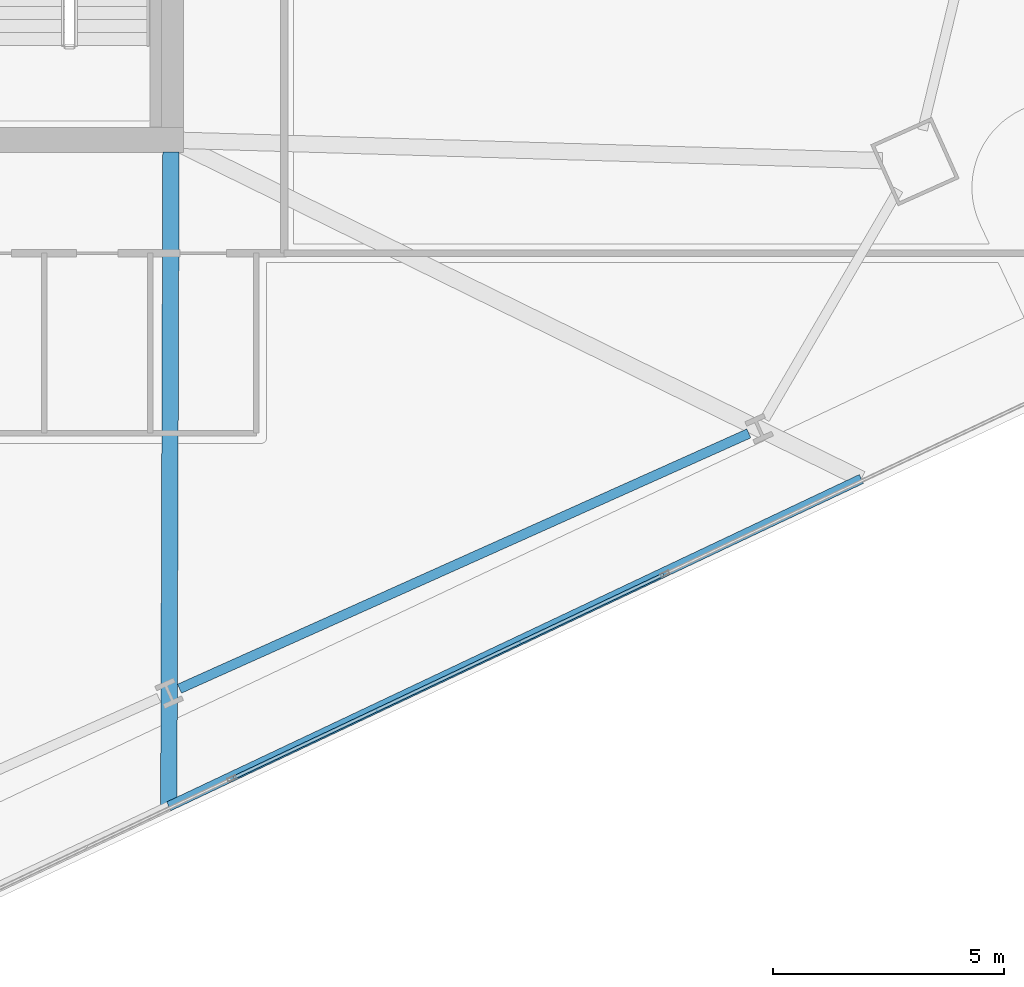
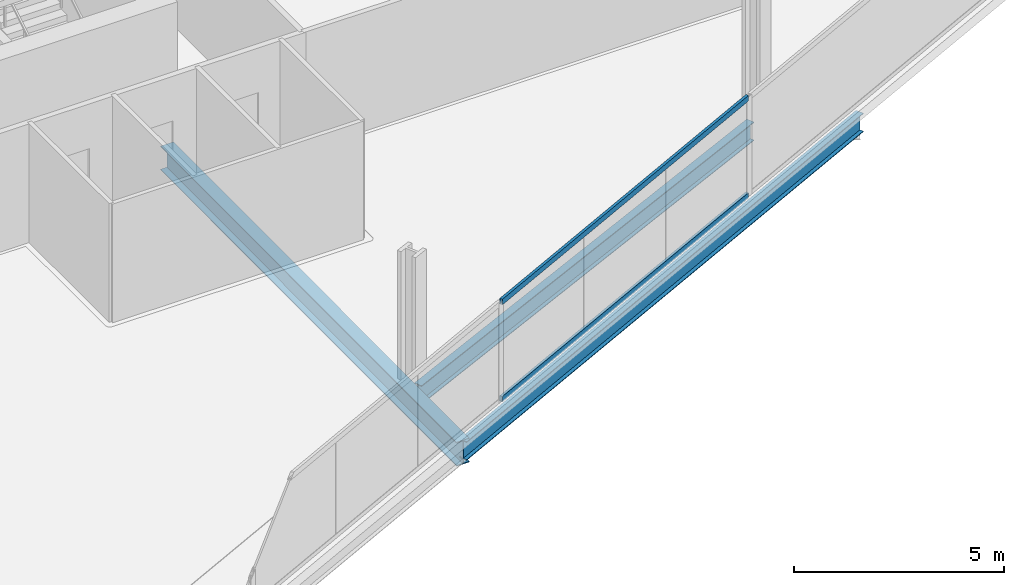
# One storey, part 8 of 34: 3 beams, 2 members, 1 element without a shape of its own.
"""IFC4 building model written with IfcOpenShell, lengths in metres."""

import ifcopenshell
import ifcopenshell.guid

model = None  # the IFC model being written
_history = None  # IfcOwnerHistory: only IFC2X3 demands one
_inside = {}  # id of a spatial element -> (the spatial element, [elements in it])
_under = {}  # id of a project, library or spatial element -> (it, [spatial elements below it])
_declared = {}  # id of a project -> (the project, [libraries it declares])
_typed = {}  # id of a type object -> (the type object, [elements of that type])
_made_of = {}  # id of a material, layer set ... -> (it, [elements and type objects made of it])


def new_model(schema):
    """Start an empty IFC model of exactly this schema.

    Asked for "IFC4X3", IfcOpenShell would pick the latest addendum, in which some entities
    have other attributes; the version numbers below select the first issue.
    IFC2X3 requires an IfcOwnerHistory on every rooted entity: one is made here for all.
    """
    global model, _history
    if schema == "IFC4X3":
        model = ifcopenshell.file(schema_version=(4, 3, 0, 0))
    else:
        model = ifcopenshell.file(schema=schema)
    _inside.clear()
    _under.clear()
    _declared.clear()
    _typed.clear()
    _made_of.clear()
    _history = None
    if model.schema == "IFC2X3":
        org = make("IfcOrganization", Name="unknown")
        user = make(
            "IfcPersonAndOrganization",
            ThePerson=make("IfcPerson", FamilyName="unknown"),
            TheOrganization=org,
        )
        app = make(
            "IfcApplication",
            ApplicationDeveloper=org,
            Version="unknown",
            ApplicationFullName="unknown",
            ApplicationIdentifier="unknown",
        )
        _history = make(
            "IfcOwnerHistory",
            OwningUser=user,
            OwningApplication=app,
            ChangeAction="ADDED",
            CreationDate=0,
        )
    return model


def make(cls, **values):
    """One entity of the class cls with the attributes given. An attribute that is None is left unset."""
    return model.create_entity(
        cls, **{name: value for name, value in values.items() if value is not None}
    )


def rooted(cls, **values):
    """An entity with a GlobalId (a new one), such as an element, a storey or a relation."""
    return make(cls, GlobalId=ifcopenshell.guid.new(), OwnerHistory=_history, **values)


def si_unit(unit_type, name, prefix=None):
    """IfcSIUnit, for example si_unit("LENGTHUNIT", "METRE", prefix="MILLI")."""
    return make("IfcSIUnit", UnitType=unit_type, Prefix=prefix, Name=name)


def assignment(units):
    """IfcUnitAssignment: the units of a project."""
    return None if units is None else make("IfcUnitAssignment", Units=units)


def point(xyz):
    """IfcCartesianPoint."""
    return None if xyz is None else make("IfcCartesianPoint", Coordinates=xyz)


def direction(xyz):
    """IfcDirection."""
    return None if xyz is None else make("IfcDirection", DirectionRatios=xyz)


def frame(location, z_axis=None, x_axis=None):
    """IfcAxis2Placement3D, a coordinate frame: its origin and axes. An axis left out is left unset."""
    return make(
        "IfcAxis2Placement3D",
        Location=point(location),
        Axis=direction(z_axis),
        RefDirection=direction(x_axis),
    )


def frame_2d(location, x_axis=None):
    """IfcAxis2Placement2D, a coordinate frame in the plane: its origin and x axis."""
    return make(
        "IfcAxis2Placement2D", Location=point(location), RefDirection=direction(x_axis)
    )


def origin():
    """The frame at (0, 0, 0) with its axes left unset."""
    return frame((0.0, 0.0, 0.0))


def origin_2d():
    """The frame at (0, 0) in the plane with its x axis left unset."""
    return frame_2d((0.0, 0.0))


def place(relative_to, where):
    """IfcLocalPlacement: puts the frame where relative to a parent placement (None: the world)."""
    return make(
        "IfcLocalPlacement", PlacementRelTo=relative_to, RelativePlacement=where
    )


def context(
    kind, dimensions, precision=None, world=None, true_north=None, identifier=None
):
    """IfcGeometricRepresentationContext, for example the 3D "Model" context."""
    return make(
        "IfcGeometricRepresentationContext",
        ContextIdentifier=identifier,
        ContextType=kind,
        CoordinateSpaceDimension=dimensions,
        Precision=precision,
        WorldCoordinateSystem=world,
        TrueNorth=true_north,
    )


def subcontext(parent, identifier, kind, view, scale=None):
    """IfcGeometricRepresentationSubContext, for example "Body" below "Model"."""
    return make(
        "IfcGeometricRepresentationSubContext",
        ContextIdentifier=identifier,
        ContextType=kind,
        ParentContext=parent,
        TargetScale=scale,
        TargetView=view,
    )


def project(units=None, contexts=None):
    """IfcProject with its units and contexts."""
    return rooted(
        "IfcProject",
        Name="project",
        RepresentationContexts=contexts,
        UnitsInContext=assignment(units),
    )


def spatial(cls, under=None, at=None, **own):
    """A site, building, storey or space (cls), placed at a placement, below another one or the project."""
    s = rooted(cls, ObjectPlacement=at, **own)
    if under is not None:
        _under.setdefault(under.id(), (under, []))[1].append(s)
    return s


def profile(cls, at=None, kind="AREA", **sizes):
    """A parametric profile (cls). Its sizes go by their IFC names, for example OverallWidth=200.0."""
    return make(cls, ProfileType=kind, Position=at, **sizes)


def hollow_rectangle(**sizes):
    """IfcRectangleHollowProfileDef."""
    return profile("IfcRectangleHollowProfileDef", **sizes)


def i_section(**sizes):
    """IfcIShapeProfileDef."""
    return profile("IfcIShapeProfileDef", **sizes)


def extrude(swept, where, along, depth):
    """IfcExtrudedAreaSolid: the profile swept, set in the frame where, extruded along a direction by depth."""
    return make(
        "IfcExtrudedAreaSolid",
        SweptArea=swept,
        Position=where,
        ExtrudedDirection=direction(along),
        Depth=depth,
    )


def shape(context_of_items, identifier, shape_type, items):
    """IfcShapeRepresentation: the items that make up one representation, for example the "Body"."""
    return make(
        "IfcShapeRepresentation",
        ContextOfItems=context_of_items,
        RepresentationIdentifier=identifier,
        RepresentationType=shape_type,
        Items=items,
    )


def material(Name=None, Category=None):
    """IfcMaterial."""
    return make("IfcMaterial", Name=Name, Category=Category)


def material_profile(
    of_material, cross_section, Name=None, Category=None, Priority=None
):
    """IfcMaterialProfile: a cross section and its material."""
    return make(
        "IfcMaterialProfile",
        Name=Name,
        Material=of_material,
        Profile=cross_section,
        Priority=Priority,
        Category=Category,
    )


def profile_set(profiles, Name=None, composite=None):
    """IfcMaterialProfileSet."""
    return make(
        "IfcMaterialProfileSet",
        Name=Name,
        MaterialProfiles=profiles,
        CompositeProfile=composite,
    )


def made_of(thing, what):
    """Note that an element or type object is made of a material, layer set ...; save() writes the relation."""
    if what is not None:
        _made_of.setdefault(what.id(), (what, []))[1].append(thing)
    return thing


def type_object(cls, material=None, **own):
    """A type object (cls), such as IfcWallType, which elements share."""
    return made_of(rooted(cls, **own), material)


def element(
    cls,
    number,
    at=None,
    inside=None,
    cuts=None,
    type_object=None,
    material=None,
    context=None,
    identifier="Body",
    shape_type=None,
    held_by="IfcProductDefinitionShape",
    body=None,
    shapes=None,
    **own,
):
    """One element of the class cls, such as IfcWall. Its Tag is "e" and its number.

    at: its placement. inside: the storey or other place that contains it. cuts: it is an
    opening in that element (IfcRelVoidsElement). A single representation is given by context,
    identifier, shape_type and body (its items); several are given by shapes. held_by: the class
    of the entity that holds the representations. save() writes the other relations.
    """
    e = rooted(cls, Tag="e%d" % number, ObjectPlacement=at, **own)
    if body is not None:
        shapes = [shape(context, identifier, shape_type, body)]
    if shapes is not None:
        e.Representation = make(held_by, Representations=shapes)
    if inside is not None:
        _inside.setdefault(inside.id(), (inside, []))[1].append(e)
    if cuts is not None:
        rooted(
            "IfcRelVoidsElement", RelatingBuildingElement=cuts, RelatedOpeningElement=e
        )
    if type_object is not None:
        _typed.setdefault(type_object.id(), (type_object, []))[1].append(e)
    return made_of(e, material)


def aggregate(whole, parts):
    """IfcRelAggregates: a whole, such as a stair, and the parts it consists of."""
    return rooted("IfcRelAggregates", RelatingObject=whole, RelatedObjects=parts)


def save(model, path):
    """Write the relations noted so far, then the file.

    IfcRelAggregates (storeys below a building ...), IfcRelContainedInSpatialStructure (elements
    in a storey), IfcRelDefinesByType, IfcRelAssociatesMaterial and IfcRelDeclares: one each for
    every whole, place, type object, material and project.
    """
    for whole, parts in _under.values():
        aggregate(whole, parts)
    for where, things in _inside.values():
        rooted(
            "IfcRelContainedInSpatialStructure",
            RelatedElements=things,
            RelatingStructure=where,
        )
    for kind, things in _typed.values():
        rooted("IfcRelDefinesByType", RelatedObjects=things, RelatingType=kind)
    for what, things in _made_of.values():
        rooted("IfcRelAssociatesMaterial", RelatedObjects=things, RelatingMaterial=what)
    for by, libraries in _declared.values():
        rooted("IfcRelDeclares", RelatingContext=by, RelatedDefinitions=libraries)
    model.write(path)


model = new_model("IFC4")

# Units and contexts
model_context = context("Model", 3, precision=1e-05, world=origin(), true_north=direction((0.0, 1.0)))
body_context = subcontext(model_context, "Body", "Model", "MODEL_VIEW")
ifc_project = project(units=[si_unit("LENGTHUNIT", "METRE"), si_unit("AREAUNIT", "SQUARE_METRE"), si_unit("VOLUMEUNIT", "CUBIC_METRE"), si_unit("PLANEANGLEUNIT", "RADIAN"), si_unit("MASSUNIT", "GRAM", prefix="KILO")], contexts=[model_context])

# Site, building, storey
site_placement = place(None, origin())
site = spatial("IfcSite", under=ifc_project, at=site_placement, CompositionType="ELEMENT")
building_placement = place(site_placement, origin())
building = spatial("IfcBuilding", under=site, at=building_placement, Name="Haldenkirk Collegiate Tower", CompositionType="ELEMENT")
storey_placement = place(building_placement, frame((0.0, 0.0, 112.949951171875)))
storey = spatial("IfcBuildingStorey", under=building, at=storey_placement, Name="L27", CompositionType="ELEMENT", Elevation=112.949951171875)

# Beams
ifc_material_1 = material(Name="Steel ASTM A992 Grade 50", Category="steel")
ifc_material_profile_1 = material_profile(ifc_material_1, i_section(OverallWidth=0.35498046875, OverallDepth=0.696044921875, WebThickness=0.015380859375, FlangeThickness=0.02490234375, at=origin_2d()), Name="W27X146")
ifc_profile_set_1 = profile_set([ifc_material_profile_1], Name="Steel ASTM A992 Grade 50")
beam_type_1 = type_object("IfcBeamType", Name="BM-GIRDER-W27X146", PredefinedType="BEAM", material=ifc_profile_set_1)
beam_1_placement = place(storey_placement, frame((44.95166015625, 3.569091796875, -0.64794921875), z_axis=(0.003341064621, 0.999994418628, 0.0), x_axis=(-0.999994418628, 0.003341064621, 0.0)))
element("IfcBeam", 1, at=beam_1_placement, inside=storey, type_object=beam_type_1, Name="L27 primary floor girder 06", PredefinedType="BEAM", context=body_context, shape_type="SweptSolid", body=[
    extrude(i_section(OverallWidth=0.35498046875, OverallDepth=0.696044921875, WebThickness=0.015380859375, FlangeThickness=0.02490234375, at=origin_2d()), origin(), (0.0, 0.0, 1.0), 14.176025390625),
])
ifc_material_profile_2 = material_profile(ifc_material_1, i_section(OverallWidth=0.2119140625, OverallDepth=0.5439453125, WebThickness=0.01318359375, FlangeThickness=0.021240234375, at=origin_2d()), Name="W21X83")
ifc_profile_set_2 = profile_set([ifc_material_profile_2], Name="Steel ASTM A992 Grade 50")
beam_type_2 = type_object("IfcBeamType", Name="BM-SPANDREL-W21X83", PredefinedType="SPANDREL", material=ifc_profile_set_2)
beam_2_placement = place(storey_placement, frame((45.183837890625, 6.1171875, -0.572021484375), z_axis=(0.912476765144, 0.409128528793, 0.0), x_axis=(-0.409128528793, 0.912476765144, 0.0)))
element("IfcBeam", 2, at=beam_2_placement, inside=storey, type_object=beam_type_2, Name="L27 perimeter spandrel beam 03", PredefinedType="SPANDREL", context=body_context, shape_type="SweptSolid", body=[
    extrude(i_section(OverallWidth=0.2119140625, OverallDepth=0.5439453125, WebThickness=0.01318359375, FlangeThickness=0.021240234375, at=origin_2d()), origin(), (0.0, 0.0, 1.0), 13.512939453125),
])
beam_3_placement = place(storey_placement, frame((44.95166015625, 3.569091796875, -0.572021484375), z_axis=(0.90408570472, 0.427351188745, 0.0), x_axis=(-0.427351188745, 0.90408570472, 0.0)))
element("IfcBeam", 3, at=beam_3_placement, inside=storey, type_object=beam_type_2, Name="L27 outer facade edge beam 1B", PredefinedType="SPANDREL", context=body_context, shape_type="SweptSolid", body=[
    extrude(i_section(OverallWidth=0.2119140625, OverallDepth=0.5439453125, WebThickness=0.01318359375, FlangeThickness=0.021240234375, at=origin_2d()), origin(), (0.0, 0.0, 1.0), 16.59130859375),
])

# Curtain wall, members
ifc_material_2 = material(Name="Anodised architectural bronze aluminium", Category="aluminium")
curtain_wall_type = type_object("IfcCurtainWallType", Name="CW-SYS2-CONCAVE", PredefinedType="USERDEFINED", material=ifc_material_2)
curtain_wall_placement = place(storey_placement, origin())
curtain_wall = element("IfcCurtainWall", 4, at=curtain_wall_placement, inside=storey, type_object=curtain_wall_type, Name="L27 South concave recessed bronze-anodised curtain wall", ObjectType="UNITISED CURTAIN WALL", PredefinedType="USERDEFINED")
ifc_material_profile_3 = material_profile(ifc_material_2, hollow_rectangle(XDim=0.074951171875, YDim=0.159912109375, WallThickness=0.0048828125, at=origin_2d()), Name="CW-TRN-02")
ifc_profile_set_3 = profile_set([ifc_material_profile_3], Name="Anodised architectural bronze aluminium")
member_type = type_object("IfcMemberType", Name="CW-TRN-02", PredefinedType="USERDEFINED", material=ifc_profile_set_3)
member_1_placement = place(storey_placement, frame((55.66455078125, 8.588623046875, 0.03759765625), z_axis=(-0.904088418125, -0.427345448335, 0.0), x_axis=(0.427345448335, -0.904088418125, 0.0)))
member_1 = element("IfcMember", 5, at=member_1_placement, type_object=member_type, Name="CW-02 transom 2.1", ObjectType="TRANSOM", PredefinedType="USERDEFINED", context=body_context, shape_type="SweptSolid", body=[
    extrude(hollow_rectangle(XDim=0.074951171875, YDim=0.159912109375, WallThickness=0.0048828125, at=origin_2d()), origin(), (0.0, 0.0, 1.0), 10.2998046875),
])
member_2_placement = place(storey_placement, frame((55.66455078125, 8.588623046875, 2.863525390625), z_axis=(-0.904088418125, -0.427345448335, 0.0), x_axis=(0.427345448335, -0.904088418125, 0.0)))
member_2 = element("IfcMember", 6, at=member_2_placement, type_object=member_type, Name="CW-02 transom 2.2", ObjectType="TRANSOM", PredefinedType="USERDEFINED", context=body_context, shape_type="SweptSolid", body=[
    extrude(hollow_rectangle(XDim=0.074951171875, YDim=0.159912109375, WallThickness=0.0048828125, at=origin_2d()), origin(), (0.0, 0.0, 1.0), 10.2998046875),
])
aggregate(curtain_wall, [member_1, member_2])

save(model, "model.ifc")
